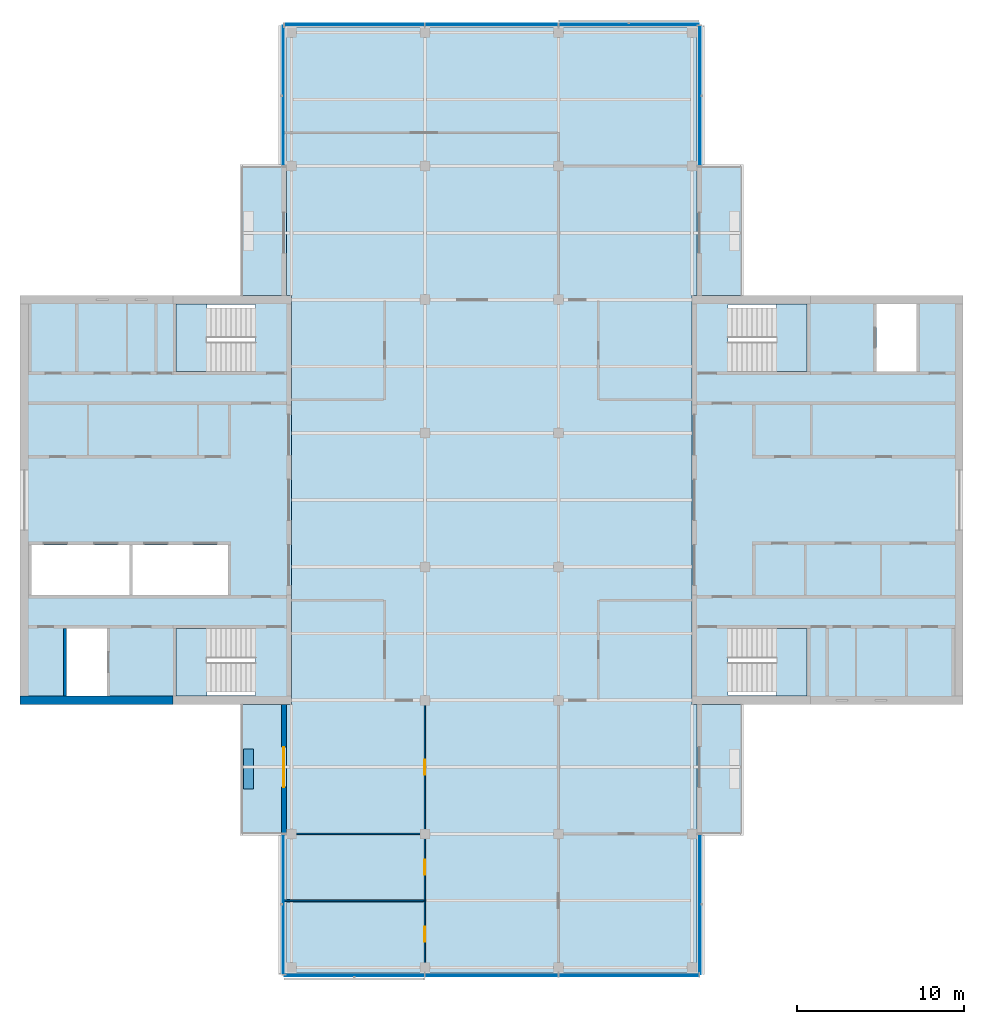
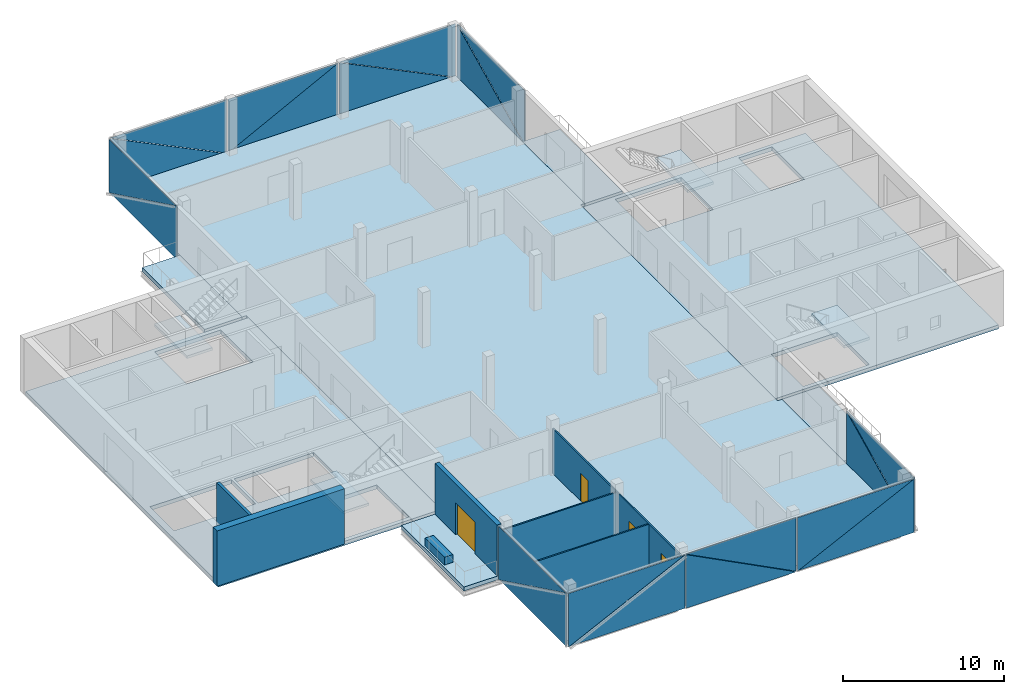
# One storey, part 4 of 11: 20 plates, 11 slabs, 7 walls, 4 doors, 4 openings, 10 elements without a shape of their own.
"""IFC4 building model written with IfcOpenShell, lengths in metres."""

from ifc_helpers import new_model, si_unit, direction, frame, frame_2d, origin, place, context, subcontext, project, spatial, polyline, rectangle, outline, extrude, material, layer, layer_set, constituent, constituent_set, type_object, element, fill, aggregate, save


model = new_model("IFC4")

# Units and contexts
model_context = context("Model", 3, precision=1e-05, world=origin(), true_north=direction((0.0, 1.0)))
body_context = subcontext(model_context, "Body", "Model", "MODEL_VIEW")
ifc_project = project(units=[si_unit("LENGTHUNIT", "METRE"), si_unit("AREAUNIT", "SQUARE_METRE"), si_unit("VOLUMEUNIT", "CUBIC_METRE"), si_unit("PLANEANGLEUNIT", "RADIAN"), si_unit("MASSUNIT", "GRAM", prefix="KILO")], contexts=[model_context])

# Site, building, storey
site_placement = place(None, origin())
site = spatial("IfcSite", under=ifc_project, at=site_placement, CompositionType="ELEMENT")
building_placement = place(site_placement, origin())
building = spatial("IfcBuilding", under=site, at=building_placement, Name="Crosswind Convention Tower", CompositionType="ELEMENT")
storey_placement = place(building_placement, frame((0.0, 0.0, 344.89990234375)))
storey = spatial("IfcBuildingStorey", under=building, at=storey_placement, Name="L75", CompositionType="ELEMENT", Elevation=344.89990234375)

# Slabs
ifc_material_1 = material(Name="Concrete C40/50", Category="concrete")
ifc_layer_1 = layer(ifc_material_1, 0.300048828125)
ifc_layer_set_1 = layer_set([ifc_layer_1], Name="Concrete C40/50")
slab_type_1 = type_object("IfcSlabType", Name="Composite floor slab 300", PredefinedType="FLOOR", material=ifc_layer_set_1)
slab_1_placement = place(storey_placement, frame((0.0, 0.0, -0.2998046875)))
element("IfcSlab", 1, at=slab_1_placement, inside=storey, type_object=slab_type_1, Name="Floor slab L75", PredefinedType="FLOOR", context=body_context, shape_type="SweptSolid", body=[
    extrude(outline(polyline([(137.300048828125, 71.699951171875), (137.0, 71.699951171875), (113.0, 71.699951171875), (112.699951171875, 71.699951171875), (112.699951171875, 72.0), (112.699951171875, 87.75), (113.0, 87.75), (113.0, 112.25), (112.699951171875, 112.25), (112.699951171875, 128.0), (112.699951171875, 128.300048828125), (113.0, 128.300048828125), (137.0, 128.300048828125), (137.300048828125, 128.300048828125), (137.300048828125, 128.0), (137.300048828125, 112.25), (137.0, 112.25), (137.0, 87.75), (137.300048828125, 87.75), (137.300048828125, 72.0), (137.300048828125, 71.699951171875)])), origin(), (0.0, 0.0, 1.0), 0.2998046875),
])
ifc_layer_2 = layer(ifc_material_1, 0.300048828125)
ifc_layer_set_2 = layer_set([ifc_layer_2], Name="Concrete C40/50")
slab_type_2 = type_object("IfcSlabType", Name="Concrete core floor slab 300", PredefinedType="FLOOR", material=ifc_layer_set_2)
slab_2_placement = place(storey_placement, frame((0.0, 0.0, -0.2998046875)))
element("IfcSlab", 2, at=slab_2_placement, inside=storey, type_object=slab_type_2, Name="Core floor slab E L75", PredefinedType="FLOOR", context=body_context, shape_type="SweptSolid", body=[
    extrude(outline(polyline([(137.0, 88.0), (153.0, 88.0), (153.0, 112.0), (137.0, 112.0), (137.0, 88.0)]), holes=[polyline([(150.449951171875, 107.699951171875), (150.449951171875, 111.75), (148.050048828125, 111.75), (148.050048828125, 107.699951171875), (150.449951171875, 107.699951171875)]), polyline([(143.89990234375, 107.699951171875), (143.89990234375, 111.699951171875), (139.14990234375, 111.699951171875), (139.14990234375, 107.699951171875), (143.89990234375, 107.699951171875)]), polyline([(143.89990234375, 88.300048828125), (143.89990234375, 92.300048828125), (139.14990234375, 92.300048828125), (139.14990234375, 88.300048828125), (143.89990234375, 88.300048828125)])]), origin(), (0.0, 0.0, 1.0), 0.2998046875),
])
slab_3_placement = place(storey_placement, frame((0.0, 0.0, -0.2998046875)))
element("IfcSlab", 3, at=slab_3_placement, inside=storey, type_object=slab_type_2, Name="Core floor slab W L75", PredefinedType="FLOOR", context=body_context, shape_type="SweptSolid", body=[
    extrude(outline(polyline([(97.0, 88.0), (113.0, 88.0), (113.0, 112.0), (97.0, 112.0), (97.0, 88.0)]), holes=[polyline([(109.199951171875, 94.300048828125), (109.199951171875, 97.300048828125), (103.5, 97.300048828125), (103.5, 94.300048828125), (109.199951171875, 94.300048828125)]), polyline([(103.300048828125, 94.300048828125), (103.300048828125, 97.300048828125), (97.449951171875, 97.300048828125), (97.449951171875, 94.300048828125), (103.300048828125, 94.300048828125)]), polyline([(101.949951171875, 88.25), (101.949951171875, 92.300048828125), (99.550048828125, 92.300048828125), (99.550048828125, 88.25), (101.949951171875, 88.25)]), polyline([(110.85009765625, 88.300048828125), (110.85009765625, 92.300048828125), (106.10009765625, 92.300048828125), (106.10009765625, 88.300048828125), (110.85009765625, 88.300048828125)]), polyline([(110.85009765625, 107.699951171875), (110.85009765625, 111.699951171875), (106.10009765625, 111.699951171875), (106.10009765625, 107.699951171875), (110.85009765625, 107.699951171875)])]), origin(), (0.0, 0.0, 1.0), 0.2998046875),
])

# Stair, slab
stair_type = type_object("IfcStairType", Name="Exit stair 1800 wide, 2 flights of 11 risers", PredefinedType="HALF_TURN_STAIR", material=ifc_material_1)
stair_1_placement = place(storey_placement, origin())
stair_1 = element("IfcStair", 4, at=stair_1_placement, inside=storey, type_object=stair_type, Name="Exit stair ST1 L75", ObjectType="ST5", PredefinedType="HALF_TURN_STAIR")
ifc_layer_3 = layer(ifc_material_1, 0.199951171875)
ifc_layer_set_3 = layer_set([ifc_layer_3], Name="Concrete C40/50")
slab_type_3 = type_object("IfcSlabType", Name="Stair landing 200", PredefinedType="LANDING", material=ifc_layer_set_3)
slab_4_placement = place(storey_placement, frame((0.0, 0.0, 1.900146484375)))
slab_4 = element("IfcSlab", 5, at=slab_4_placement, type_object=slab_type_3, Name="ST1 landing 1", PredefinedType="LANDING", context=body_context, shape_type="SweptSolid", body=[
    extrude(outline(polyline([(143.89990234375, 107.699951171875), (143.89990234375, 111.75), (142.050048828125, 111.75), (142.050048828125, 107.699951171875), (143.89990234375, 107.699951171875)])), origin(), (0.0, 0.0, 1.0), 0.199951171875),
])
aggregate(stair_1, [slab_4])

stair_2_placement = place(storey_placement, origin())
stair_2 = element("IfcStair", 6, at=stair_2_placement, inside=storey, type_object=stair_type, Name="Exit stair ST2 L75", ObjectType="ST5", PredefinedType="HALF_TURN_STAIR")
slab_5_placement = place(storey_placement, frame((0.0, 0.0, 1.900146484375)))
slab_5 = element("IfcSlab", 7, at=slab_5_placement, type_object=slab_type_3, Name="ST2 landing 1", PredefinedType="LANDING", context=body_context, shape_type="SweptSolid", body=[
    extrude(outline(polyline([(143.89990234375, 88.25), (143.89990234375, 92.300048828125), (142.050048828125, 92.300048828125), (142.050048828125, 88.25), (143.89990234375, 88.25)])), origin(), (0.0, 0.0, 1.0), 0.199951171875),
])
aggregate(stair_2, [slab_5])

stair_3_placement = place(storey_placement, origin())
stair_3 = element("IfcStair", 8, at=stair_3_placement, inside=storey, type_object=stair_type, Name="Exit stair ST3 L75", ObjectType="ST5", PredefinedType="HALF_TURN_STAIR")
slab_6_placement = place(storey_placement, frame((0.0, 0.0, 1.900146484375)))
slab_6 = element("IfcSlab", 9, at=slab_6_placement, type_object=slab_type_3, Name="ST3 landing 1", PredefinedType="LANDING", context=body_context, shape_type="SweptSolid", body=[
    extrude(outline(polyline([(107.949951171875, 88.25), (107.949951171875, 92.300048828125), (106.10009765625, 92.300048828125), (106.10009765625, 88.25), (107.949951171875, 88.25)])), origin(), (0.0, 0.0, 1.0), 0.199951171875),
])
aggregate(stair_3, [slab_6])

stair_4_placement = place(storey_placement, origin())
stair_4 = element("IfcStair", 10, at=stair_4_placement, inside=storey, type_object=stair_type, Name="Exit stair ST4 L75", ObjectType="ST5", PredefinedType="HALF_TURN_STAIR")
slab_7_placement = place(storey_placement, frame((0.0, 0.0, 1.900146484375)))
slab_7 = element("IfcSlab", 11, at=slab_7_placement, type_object=slab_type_3, Name="ST4 landing 1", PredefinedType="LANDING", context=body_context, shape_type="SweptSolid", body=[
    extrude(outline(polyline([(107.949951171875, 107.699951171875), (107.949951171875, 111.75), (106.10009765625, 111.75), (106.10009765625, 107.699951171875), (107.949951171875, 107.699951171875)])), origin(), (0.0, 0.0, 1.0), 0.199951171875),
])
aggregate(stair_4, [slab_7])

# Curtain wall, plates
ifc_material_2 = material(Name="Aluminium unitised curtain wall", Category="aluminium")
curtain_wall_type = type_object("IfcCurtainWallType", Name="SKY LOBBY AND LOUNGE WALL 280", PredefinedType="USERDEFINED", material=ifc_material_2)
curtain_wall_1_placement = place(storey_placement, origin())
curtain_wall_1 = element("IfcCurtainWall", 12, at=curtain_wall_1_placement, inside=storey, type_object=curtain_wall_type, Name="CW4 L75 N-E 1", ObjectType="UNITISED", PredefinedType="USERDEFINED")
ifc_material_3 = material(Name="Laminated insulating glass unit", Category="glass")
ifc_layer_4 = layer(ifc_material_3, 0.0400390625)
ifc_layer_set_4 = layer_set([ifc_layer_4], Name="TRIANGULAR GLASS PANEL 40")
plate_type = type_object("IfcPlateType", Name="TRIANGULAR GLASS PANEL 40", PredefinedType="CURTAIN_PANEL", material=ifc_layer_set_4)
plate_1_placement = place(storey_placement, frame((137.480712890625, 128.402587890625, -0.2998046875), z_axis=(0.999999935031, 0.0, 0.000360468586), x_axis=(-0.000360468586, 0.0, 0.999999935031)))
plate_1 = element("IfcPlate", 13, at=plate_1_placement, type_object=plate_type, Name="CW4 panel 1.1", PredefinedType="CURTAIN_PANEL", context=body_context, shape_type="SweptSolid", body=[
    extrude(outline(polyline([(0.0, 0.0), (4.063720967140085, 0.0), (0.0, 8.34228515625), (0.0, 0.0)])), origin(), (0.0, 0.0, -1.0), 0.0400390625),
])
plate_2_placement = place(storey_placement, frame((137.521240234375, 120.03759765625, 3.775146484375), z_axis=(0.999999935039, 0.0, 0.000360446931), x_axis=(0.000360446931, 0.0, -0.999999935039)))
plate_2 = element("IfcPlate", 14, at=plate_2_placement, type_object=plate_type, Name="CW4 panel 1.2", PredefinedType="CURTAIN_PANEL", context=body_context, shape_type="SweptSolid", body=[
    extrude(outline(polyline([(0.0, 0.0), (4.063965107749225, 0.0), (0.0, 8.342041015624998), (0.0, 0.0)])), origin(), (0.0, 0.0, -1.0), 0.0400390625),
])
aggregate(curtain_wall_1, [plate_1, plate_2])

curtain_wall_2_placement = place(storey_placement, origin())
curtain_wall_2 = element("IfcCurtainWall", 15, at=curtain_wall_2_placement, inside=storey, type_object=curtain_wall_type, Name="CW4 L75 N-TIP 1", ObjectType="UNITISED", PredefinedType="USERDEFINED")
plate_3_placement = place(storey_placement, frame((129.03759765625, 128.480712890625, -0.2998046875), z_axis=(0.0, 0.999999935031, 0.000360468586), x_axis=(0.0, -0.000360468586, 0.999999935031)))
plate_3 = element("IfcPlate", 16, at=plate_3_placement, type_object=plate_type, Name="CW4 panel 1.1", PredefinedType="CURTAIN_PANEL", context=body_context, shape_type="SweptSolid", body=[
    extrude(outline(polyline([(0.0, 0.0), (4.063720967140085, 0.0), (0.0, 8.342041015625), (0.0, 0.0)])), origin(), (0.0, 0.0, -1.0), 0.0400390625),
])
plate_4_placement = place(storey_placement, frame((137.402587890625, 128.521240234375, 3.775146484375), z_axis=(0.0, 0.999999935039, 0.000360446931), x_axis=(0.0, 0.000360446931, -0.999999935039)))
plate_4 = element("IfcPlate", 17, at=plate_4_placement, type_object=plate_type, Name="CW4 panel 1.2", PredefinedType="CURTAIN_PANEL", context=body_context, shape_type="SweptSolid", body=[
    extrude(outline(polyline([(0.0, 0.0), (4.063965107749225, 0.0), (0.0, 8.34228515625), (0.0, 0.0)])), origin(), (0.0, 0.0, -1.0), 0.0400390625),
])
plate_5_placement = place(storey_placement, frame((121.03759765625, 128.479248046875, 3.775146484375), z_axis=(0.0, 0.999999935031, 0.000360468586), x_axis=(1.0, 0.0, 0.0)))
plate_5 = element("IfcPlate", 18, at=plate_5_placement, type_object=plate_type, Name="CW4 panel 2.1", PredefinedType="CURTAIN_PANEL", context=body_context, shape_type="SweptSolid", body=[
    extrude(outline(polyline([(0.0, 0.0), (7.903076171875, 0.0), (0.0, 4.063720967140085), (0.0, 0.0)])), origin(), (0.0, 0.0, -1.0), 0.0400390625),
])
plate_6_placement = place(storey_placement, frame((128.96240234375, 128.522705078125, -0.2998046875), z_axis=(0.0, 0.999999935031, 0.000360468586), x_axis=(-1.0, 0.0, 0.0)))
plate_6 = element("IfcPlate", 19, at=plate_6_placement, type_object=plate_type, Name="CW4 panel 2.2", PredefinedType="CURTAIN_PANEL", context=body_context, shape_type="SweptSolid", body=[
    extrude(outline(polyline([(0.0, 0.0), (7.903076171875, 0.0), (0.0, 4.063720967140085), (0.0, 0.0)])), origin(), (0.0, 0.0, -1.0), 0.0400390625),
])
plate_7_placement = place(storey_placement, frame((112.597412109375, 128.480712890625, -0.2998046875), z_axis=(0.0, 0.999999935031, 0.000360468586), x_axis=(0.0, -0.000360468586, 0.999999935031)))
plate_7 = element("IfcPlate", 20, at=plate_7_placement, type_object=plate_type, Name="CW4 panel 3.1", PredefinedType="CURTAIN_PANEL", context=body_context, shape_type="SweptSolid", body=[
    extrude(outline(polyline([(0.0, 0.0), (4.063720967140085, 0.0), (0.0, 8.34228515625), (0.0, 0.0)])), origin(), (0.0, 0.0, -1.0), 0.0400390625),
])
plate_8_placement = place(storey_placement, frame((120.96240234375, 128.521240234375, 3.775146484375), z_axis=(0.0, 0.999999935039, 0.000360446931), x_axis=(0.0, 0.000360446931, -0.999999935039)))
plate_8 = element("IfcPlate", 21, at=plate_8_placement, type_object=plate_type, Name="CW4 panel 3.2", PredefinedType="CURTAIN_PANEL", context=body_context, shape_type="SweptSolid", body=[
    extrude(outline(polyline([(0.0, 0.0), (4.063965107749225, 0.0), (0.0, 8.342041015624998), (0.0, 0.0)])), origin(), (0.0, 0.0, -1.0), 0.0400390625),
])
aggregate(curtain_wall_2, [plate_3, plate_4, plate_5, plate_6, plate_7, plate_8])

curtain_wall_3_placement = place(storey_placement, origin())
curtain_wall_3 = element("IfcCurtainWall", 22, at=curtain_wall_3_placement, inside=storey, type_object=curtain_wall_type, Name="CW4 L75 N-W 1", ObjectType="UNITISED", PredefinedType="USERDEFINED")
plate_9_placement = place(storey_placement, frame((112.519287109375, 120.03759765625, -0.2998046875), z_axis=(-0.999999935031, 0.0, 0.000360468586), x_axis=(0.000360468586, 0.0, 0.999999935031)))
plate_9 = element("IfcPlate", 23, at=plate_9_placement, type_object=plate_type, Name="CW4 panel 1.1", PredefinedType="CURTAIN_PANEL", context=body_context, shape_type="SweptSolid", body=[
    extrude(outline(polyline([(0.0, 0.0), (4.063720967140085, 0.0), (0.0, 8.342041015625), (0.0, 0.0)])), origin(), (0.0, 0.0, -1.0), 0.0400390625),
])
plate_10_placement = place(storey_placement, frame((112.478759765625, 128.402587890625, 3.775146484375), z_axis=(-0.999999935039, 0.0, 0.000360446931), x_axis=(-0.000360446931, 0.0, -0.999999935039)))
plate_10 = element("IfcPlate", 24, at=plate_10_placement, type_object=plate_type, Name="CW4 panel 1.2", PredefinedType="CURTAIN_PANEL", context=body_context, shape_type="SweptSolid", body=[
    extrude(outline(polyline([(0.0, 0.0), (4.063965107749225, 0.0), (0.0, 8.34228515625), (0.0, 0.0)])), origin(), (0.0, 0.0, -1.0), 0.0400390625),
])
aggregate(curtain_wall_3, [plate_9, plate_10])

curtain_wall_4_placement = place(storey_placement, origin())
curtain_wall_4 = element("IfcCurtainWall", 25, at=curtain_wall_4_placement, inside=storey, type_object=curtain_wall_type, Name="CW4 L75 S-W 1", ObjectType="UNITISED", PredefinedType="USERDEFINED")
plate_11_placement = place(storey_placement, frame((112.519287109375, 71.597412109375, -0.2998046875), z_axis=(-0.999999935031, 0.0, 0.000360468586), x_axis=(0.000360468586, 0.0, 0.999999935031)))
plate_11 = element("IfcPlate", 26, at=plate_11_placement, type_object=plate_type, Name="CW4 panel 1.1", PredefinedType="CURTAIN_PANEL", context=body_context, shape_type="SweptSolid", body=[
    extrude(outline(polyline([(0.0, 0.0), (4.063720967140085, 0.0), (0.0, 8.34228515625), (0.0, 0.0)])), origin(), (0.0, 0.0, -1.0), 0.0400390625),
])
plate_12_placement = place(storey_placement, frame((112.478759765625, 79.96240234375, 3.775146484375), z_axis=(-0.999999935039, 0.0, 0.000360446931), x_axis=(-0.000360446931, 0.0, -0.999999935039)))
plate_12 = element("IfcPlate", 27, at=plate_12_placement, type_object=plate_type, Name="CW4 panel 1.2", PredefinedType="CURTAIN_PANEL", context=body_context, shape_type="SweptSolid", body=[
    extrude(outline(polyline([(0.0, 0.0), (4.063965107749225, 0.0), (0.0, 8.342041015624998), (0.0, 0.0)])), origin(), (0.0, 0.0, -1.0), 0.0400390625),
])
aggregate(curtain_wall_4, [plate_11, plate_12])

curtain_wall_5_placement = place(storey_placement, origin())
curtain_wall_5 = element("IfcCurtainWall", 28, at=curtain_wall_5_placement, inside=storey, type_object=curtain_wall_type, Name="CW4 L75 S-TIP 1", ObjectType="UNITISED", PredefinedType="USERDEFINED")
plate_13_placement = place(storey_placement, frame((120.96240234375, 71.519287109375, -0.2998046875), z_axis=(0.0, -0.999999935031, 0.000360468586), x_axis=(0.0, 0.000360468586, 0.999999935031)))
plate_13 = element("IfcPlate", 29, at=plate_13_placement, type_object=plate_type, Name="CW4 panel 1.1", PredefinedType="CURTAIN_PANEL", context=body_context, shape_type="SweptSolid", body=[
    extrude(outline(polyline([(0.0, 0.0), (4.063720967140085, 0.0), (0.0, 8.342041015625), (0.0, 0.0)])), origin(), (0.0, 0.0, -1.0), 0.0400390625),
])
plate_14_placement = place(storey_placement, frame((112.597412109375, 71.478759765625, 3.775146484375), z_axis=(0.0, -0.999999935039, 0.000360446931), x_axis=(0.0, -0.000360446931, -0.999999935039)))
plate_14 = element("IfcPlate", 30, at=plate_14_placement, type_object=plate_type, Name="CW4 panel 1.2", PredefinedType="CURTAIN_PANEL", context=body_context, shape_type="SweptSolid", body=[
    extrude(outline(polyline([(0.0, 0.0), (4.063965107749225, 0.0), (0.0, 8.34228515625), (0.0, 0.0)])), origin(), (0.0, 0.0, -1.0), 0.0400390625),
])
plate_15_placement = place(storey_placement, frame((128.96240234375, 71.520751953125, 3.775146484375), z_axis=(0.0, -0.999999935031, 0.000360468586), x_axis=(-1.0, 0.0, 0.0)))
plate_15 = element("IfcPlate", 31, at=plate_15_placement, type_object=plate_type, Name="CW4 panel 2.1", PredefinedType="CURTAIN_PANEL", context=body_context, shape_type="SweptSolid", body=[
    extrude(outline(polyline([(0.0, 0.0), (7.903076171875, 0.0), (0.0, 4.063720967140085), (0.0, 0.0)])), origin(), (0.0, 0.0, -1.0), 0.0400390625),
])
plate_16_placement = place(storey_placement, frame((121.03759765625, 71.477294921875, -0.2998046875), z_axis=(0.0, -0.999999935031, 0.000360468586), x_axis=(1.0, 0.0, 0.0)))
plate_16 = element("IfcPlate", 32, at=plate_16_placement, type_object=plate_type, Name="CW4 panel 2.2", PredefinedType="CURTAIN_PANEL", context=body_context, shape_type="SweptSolid", body=[
    extrude(outline(polyline([(0.0, 0.0), (7.903076171875, 0.0), (0.0, 4.063720967140085), (0.0, 0.0)])), origin(), (0.0, 0.0, -1.0), 0.0400390625),
])
plate_17_placement = place(storey_placement, frame((137.402587890625, 71.519287109375, -0.2998046875), z_axis=(0.0, -0.999999935031, 0.000360468586), x_axis=(0.0, 0.000360468586, 0.999999935031)))
plate_17 = element("IfcPlate", 33, at=plate_17_placement, type_object=plate_type, Name="CW4 panel 3.1", PredefinedType="CURTAIN_PANEL", context=body_context, shape_type="SweptSolid", body=[
    extrude(outline(polyline([(0.0, 0.0), (4.063720967140085, 0.0), (0.0, 8.34228515625), (0.0, 0.0)])), origin(), (0.0, 0.0, -1.0), 0.0400390625),
])
plate_18_placement = place(storey_placement, frame((129.03759765625, 71.478759765625, 3.775146484375), z_axis=(0.0, -0.999999935039, 0.000360446931), x_axis=(0.0, -0.000360446931, -0.999999935039)))
plate_18 = element("IfcPlate", 34, at=plate_18_placement, type_object=plate_type, Name="CW4 panel 3.2", PredefinedType="CURTAIN_PANEL", context=body_context, shape_type="SweptSolid", body=[
    extrude(outline(polyline([(0.0, 0.0), (4.063965107749225, 0.0), (0.0, 8.342041015624998), (0.0, 0.0)])), origin(), (0.0, 0.0, -1.0), 0.0400390625),
])
aggregate(curtain_wall_5, [plate_13, plate_14, plate_15, plate_16, plate_17, plate_18])

curtain_wall_6_placement = place(storey_placement, origin())
curtain_wall_6 = element("IfcCurtainWall", 35, at=curtain_wall_6_placement, inside=storey, type_object=curtain_wall_type, Name="CW4 L75 S-E 1", ObjectType="UNITISED", PredefinedType="USERDEFINED")
plate_19_placement = place(storey_placement, frame((137.480712890625, 79.96240234375, -0.2998046875), z_axis=(0.999999935031, 0.0, 0.000360468586), x_axis=(-0.000360468586, 0.0, 0.999999935031)))
plate_19 = element("IfcPlate", 36, at=plate_19_placement, type_object=plate_type, Name="CW4 panel 1.1", PredefinedType="CURTAIN_PANEL", context=body_context, shape_type="SweptSolid", body=[
    extrude(outline(polyline([(0.0, 0.0), (4.063720967140085, 0.0), (0.0, 8.342041015625), (0.0, 0.0)])), origin(), (0.0, 0.0, -1.0), 0.0400390625),
])
plate_20_placement = place(storey_placement, frame((137.521240234375, 71.597412109375, 3.775146484375), z_axis=(0.999999935039, 0.0, 0.000360446931), x_axis=(0.000360446931, 0.0, -0.999999935039)))
plate_20 = element("IfcPlate", 37, at=plate_20_placement, type_object=plate_type, Name="CW4 panel 1.2", PredefinedType="CURTAIN_PANEL", context=body_context, shape_type="SweptSolid", body=[
    extrude(outline(polyline([(0.0, 0.0), (4.063965107749225, 0.0), (0.0, 8.34228515625), (0.0, 0.0)])), origin(), (0.0, 0.0, -1.0), 0.0400390625),
])
aggregate(curtain_wall_6, [plate_19, plate_20])

# Slabs
ifc_layer_5 = layer(ifc_material_1, 0.300048828125)
ifc_layer_set_5 = layer_set([ifc_layer_5], Name="Concrete C40/50")
slab_type_4 = type_object("IfcSlabType", Name="WINTER GARDEN SLAB 300", PredefinedType="USERDEFINED", material=ifc_layer_set_5)
slab_8_placement = place(storey_placement, frame((0.0, 0.0, -0.2998046875)))
element("IfcSlab", 38, at=slab_8_placement, inside=storey, type_object=slab_type_4, Name="WINTER GARDEN L75 N-E.1-1", ObjectType="WINTER GARDEN", PredefinedType="USERDEFINED", context=body_context, shape_type="SweptSolid", body=[
    extrude(outline(polyline([(137.300048828125, 112.25), (137.300048828125, 120.0), (140.0, 120.0), (140.0, 112.25), (137.300048828125, 112.25)])), origin(), (0.0, 0.0, 1.0), 0.2998046875),
])
slab_9_placement = place(storey_placement, frame((0.0, 0.0, -0.2998046875)))
element("IfcSlab", 39, at=slab_9_placement, inside=storey, type_object=slab_type_4, Name="WINTER GARDEN L75 N-W.1-2", ObjectType="WINTER GARDEN", PredefinedType="USERDEFINED", context=body_context, shape_type="SweptSolid", body=[
    extrude(outline(polyline([(112.699951171875, 120.0), (112.699951171875, 112.25), (110.0, 112.25), (110.0, 120.0), (112.699951171875, 120.0)])), origin(), (0.0, 0.0, 1.0), 0.2998046875),
])
slab_10_placement = place(storey_placement, frame((0.0, 0.0, -0.2998046875)))
element("IfcSlab", 40, at=slab_10_placement, inside=storey, type_object=slab_type_4, Name="WINTER GARDEN L75 S-W.1-1", ObjectType="WINTER GARDEN", PredefinedType="USERDEFINED", context=body_context, shape_type="SweptSolid", body=[
    extrude(outline(polyline([(112.699951171875, 87.75), (112.699951171875, 80.0), (110.0, 80.0), (110.0, 87.75), (112.699951171875, 87.75)])), origin(), (0.0, 0.0, 1.0), 0.2998046875),
])
slab_11_placement = place(storey_placement, frame((0.0, 0.0, -0.2998046875)))
element("IfcSlab", 41, at=slab_11_placement, inside=storey, type_object=slab_type_4, Name="WINTER GARDEN L75 S-E.1-2", ObjectType="WINTER GARDEN", PredefinedType="USERDEFINED", context=body_context, shape_type="SweptSolid", body=[
    extrude(outline(polyline([(137.300048828125, 80.0), (137.300048828125, 87.75), (140.0, 87.75), (140.0, 80.0), (137.300048828125, 80.0)])), origin(), (0.0, 0.0, 1.0), 0.2998046875),
])

# Wall
ifc_material_4 = material(Name="Concrete C50/60", Category="concrete")
ifc_layer_6 = layer(ifc_material_4, 0.199951171875)
ifc_layer_set_6 = layer_set([ifc_layer_6], Name="Concrete C50/60")
wall_type_1 = type_object("IfcWallType", Name="Concrete shaft and stair wall 200", PredefinedType="SHEAR", material=ifc_layer_set_6)
wall_1_placement = place(storey_placement, frame((99.449951171875, 92.300048828125, 0.0), z_axis=(0.0, 0.0, 1.0), x_axis=(0.0, -1.0, 0.0)))
element("IfcWall", 42, at=wall_1_placement, inside=storey, type_object=wall_type_1, Name="Wall PFSE W L75", PredefinedType="SHEAR", context=body_context, shape_type="SweptSolid", body=[
    extrude(rectangle(XDim=4.050048828125, YDim=0.199951171875, at=frame_2d((2.02490234375, 0.0))), origin(), (0.0, 0.0, 1.0), 4.2001953125),
])

# Wall, openings, doors
ifc_material_5 = material(Name="Plasterboard partition", Category="gypsum")
ifc_layer_7 = layer(ifc_material_5, 0.10009765625)
ifc_layer_set_7 = layer_set([ifc_layer_7], Name="PARTITION 100 METAL STUD")
wall_type_2 = type_object("IfcWallType", Name="PARTITION 100 METAL STUD", PredefinedType="PARTITIONING", material=ifc_layer_set_7)
wall_2_placement = place(storey_placement, frame((121.0, 71.780029296875, 0.0), z_axis=(0.0, 0.0, 1.0), x_axis=(0.0, 1.0, 0.0)))
wall_2 = element("IfcWall", 43, at=wall_2_placement, inside=storey, type_object=wall_type_2, Name="Partition wall WT40", PredefinedType="PARTITIONING", context=body_context, shape_type="SweptSolid", body=[
    extrude(rectangle(XDim=16.14501953125, YDim=0.10009765625, at=frame_2d((8.072509765625, 0.0))), origin(), (0.0, 0.0, 1.0), 3.396484375),
])
opening_1_placement = place(wall_2_placement, frame((5.77001953125, 0.0, 0.0)))
opening_1 = element("IfcOpeningElement", 44, at=opening_1_placement, cuts=wall_2, Name="Opening L75-54", PredefinedType="OPENING", context=body_context, shape_type="SweptSolid", body=[
    extrude(rectangle(XDim=0.89990234375, YDim=2.10009765625, at=frame_2d((0.449951171875, 1.050048828125))), frame((0.0, 0.06005859375, 0.0), z_axis=(0.0, -1.0, 0.0), x_axis=(1.0, 0.0, 0.0)), (0.0, 0.0, 1.0), 0.1201171875),
])
opening_2_placement = place(wall_2_placement, frame((1.77001953125, 0.0, 0.0)))
opening_2 = element("IfcOpeningElement", 45, at=opening_2_placement, cuts=wall_2, Name="Opening L75-55", PredefinedType="OPENING", context=body_context, shape_type="SweptSolid", body=[
    extrude(rectangle(XDim=0.89990234375, YDim=2.10009765625, at=frame_2d((0.449951171875, 1.050048828125))), frame((0.0, 0.06005859375, 0.0), z_axis=(0.0, -1.0, 0.0), x_axis=(1.0, 0.0, 0.0)), (0.0, 0.0, 1.0), 0.1201171875),
])
opening_3_placement = place(wall_2_placement, frame((11.77001953125, 0.0, 0.0)))
opening_3 = element("IfcOpeningElement", 46, at=opening_3_placement, cuts=wall_2, Name="Opening L75-56", PredefinedType="OPENING", context=body_context, shape_type="SweptSolid", body=[
    extrude(rectangle(XDim=0.89990234375, YDim=2.10009765625, at=frame_2d((0.449951171875, 1.050048828125))), frame((0.0, 0.06005859375, 0.0), z_axis=(0.0, -1.0, 0.0), x_axis=(1.0, 0.0, 0.0)), (0.0, 0.0, 1.0), 0.1201171875),
])
ifc_material_6 = material(Name="Timber door", Category="wood")
door_type_1 = type_object("IfcDoorType", Name="INTERNAL DOOR 900X2100", OperationType="NOTDEFINED", PredefinedType="DOOR", material=ifc_material_6)
door_1_placement = place(opening_1_placement, origin())
door_1 = element("IfcDoor", 47, at=door_1_placement, inside=storey, type_object=door_type_1, Name="Door L75-54", ObjectType="D40", OperationType="SINGLE_SWING_RIGHT", OverallHeight=2.10009765625, OverallWidth=0.89990234375, PredefinedType="DOOR", context=body_context, shape_type="SweptSolid", body=[
    extrude(rectangle(XDim=0.89990234375, YDim=2.10009765625, at=frame_2d((0.449951171875, 1.050048828125))), frame((0.0, 0.02490234375, 0.0), z_axis=(0.0, -1.0, 0.0), x_axis=(1.0, 0.0, 0.0)), (0.0, 0.0, 1.0), 0.050048828125),
])
fill(opening_1, door_1)
door_2_placement = place(opening_2_placement, origin())
door_2 = element("IfcDoor", 48, at=door_2_placement, inside=storey, type_object=door_type_1, Name="Door L75-55", ObjectType="D40", OperationType="SINGLE_SWING_LEFT", OverallHeight=2.10009765625, OverallWidth=0.89990234375, PredefinedType="DOOR", context=body_context, shape_type="SweptSolid", body=[
    extrude(rectangle(XDim=0.89990234375, YDim=2.10009765625, at=frame_2d((0.449951171875, 1.050048828125))), frame((0.0, 0.02490234375, 0.0), z_axis=(0.0, -1.0, 0.0), x_axis=(1.0, 0.0, 0.0)), (0.0, 0.0, 1.0), 0.050048828125),
])
fill(opening_2, door_2)
door_3_placement = place(opening_3_placement, frame((0.89990234375, 0.0, 0.0), z_axis=(0.0, 0.0, 1.0), x_axis=(-1.0, 0.0, 0.0)))
door_3 = element("IfcDoor", 49, at=door_3_placement, inside=storey, type_object=door_type_1, Name="Door L75-56", ObjectType="D40", OperationType="SINGLE_SWING_LEFT", OverallHeight=2.10009765625, OverallWidth=0.89990234375, PredefinedType="DOOR", context=body_context, shape_type="SweptSolid", body=[
    extrude(rectangle(XDim=0.89990234375, YDim=2.10009765625, at=frame_2d((0.449951171875, 1.050048828125))), frame((0.0, 0.02490234375, 0.0), z_axis=(0.0, -1.0, 0.0), x_axis=(1.0, 0.0, 0.0)), (0.0, 0.0, 1.0), 0.050048828125),
])
fill(opening_3, door_3)

# Walls
wall_3_placement = place(storey_placement, frame((112.56005859375, 76.0, 0.0), z_axis=(0.0, 0.0, 1.0), x_axis=(1.0, 0.0, 0.0)))
element("IfcWall", 50, at=wall_3_placement, inside=storey, type_object=wall_type_2, Name="Partition wall WT40", PredefinedType="PARTITIONING", context=body_context, shape_type="SweptSolid", body=[
    extrude(rectangle(XDim=8.389892578125, YDim=0.10009765625, at=frame_2d((4.19482421875, 0.0))), origin(), (0.0, 0.0, 1.0), 3.396484375),
])
wall_4_placement = place(storey_placement, frame((112.780029296875, 80.0, 0.0), z_axis=(0.0, 0.0, 1.0), x_axis=(1.0, 0.0, 0.0)))
element("IfcWall", 51, at=wall_4_placement, inside=storey, type_object=wall_type_2, Name="Partition wall WT40", PredefinedType="PARTITIONING", context=body_context, shape_type="SweptSolid", body=[
    extrude(rectangle(XDim=8.169921875, YDim=0.10009765625, at=frame_2d((4.0849609375, 0.0))), origin(), (0.0, 0.0, 1.0), 3.396484375),
])
ifc_material_7 = material(Name="Concrete C30/37", Category="concrete")
ifc_layer_8 = layer(ifc_material_7, 0.60009765625)
ifc_layer_set_8 = layer_set([ifc_layer_8], Name="Concrete C30/37")
wall_type_3 = type_object("IfcWallType", Name="PLANTER BOX WALL 600", PredefinedType="SOLIDWALL", material=ifc_layer_set_8)
wall_5_placement = place(storey_placement, frame((110.449951171875, 85.074951171875, 0.0), z_axis=(0.0, 0.0, 1.0), x_axis=(0.0, -1.0, 0.0)))
element("IfcWall", 52, at=wall_5_placement, inside=storey, type_object=wall_type_3, Name="PLANTER L75 S-W.1-1", PredefinedType="SOLIDWALL", context=body_context, shape_type="SweptSolid", body=[
    extrude(rectangle(XDim=2.39990234375, YDim=0.60009765625, at=frame_2d((1.199951171875, 0.0))), origin(), (0.0, 0.0, 1.0), 0.60009765625),
])

# Wall, opening, door
ifc_material_8 = material(Name="Terracotta rainscreen", Category="ceramic")
ifc_layer_9 = layer(ifc_material_8, 0.02001953125)
ifc_material_9 = material(Name="Mineral wool insulation", Category="insulation")
ifc_layer_10 = layer(ifc_material_9, 0.10009765625)
ifc_material_10 = material(Name="Concrete blockwork", Category="masonry")
ifc_layer_11 = layer(ifc_material_10, 0.179931640625)
ifc_layer_set_9 = layer_set([ifc_layer_9, ifc_layer_10, ifc_layer_11], Name="TERRACOTTA INFILL WALL 300")
wall_type_4 = type_object("IfcWallType", Name="TERRACOTTA INFILL WALL 300", PredefinedType="SOLIDWALL", material=ifc_layer_set_9)
wall_6_placement = place(storey_placement, frame((112.550048828125, 87.75, 0.0), z_axis=(0.0, 0.0, 1.0), x_axis=(0.0, -1.0, 0.0)))
wall_6 = element("IfcWall", 53, at=wall_6_placement, inside=storey, type_object=wall_type_4, Name="Notch front wall L75 S-W.1-1", PredefinedType="SOLIDWALL", context=body_context, shape_type="SweptSolid", body=[
    extrude(rectangle(XDim=7.71240234375, YDim=0.300048828125, at=frame_2d((3.856201171875, 0.0))), origin(), (0.0, 0.0, 1.0), 3.85009765625),
])
opening_4_placement = place(wall_6_placement, frame((2.550048828125, 0.0, 0.0)))
opening_4 = element("IfcOpeningElement", 54, at=opening_4_placement, cuts=wall_6, Name="Opening D143", PredefinedType="OPENING", context=body_context, shape_type="SweptSolid", body=[
    extrude(rectangle(XDim=2.39990234375, YDim=2.39990234375, at=frame_2d((1.199951171875, 1.199951171875))), frame((0.0, 0.159912109375, 0.0), z_axis=(0.0, -1.0, 0.0), x_axis=(1.0, 0.0, 0.0)), (0.0, 0.0, 1.0), 0.320068359375),
])
ifc_material_11 = material(Name="Aluminium glazed door", Category="aluminium")
door_type_2 = type_object("IfcDoorType", Name="WINTER GARDEN SLIDING DOOR 2400X2400", OperationType="SLIDING_TO_LEFT", PredefinedType="DOOR", material=ifc_material_11)
door_4_placement = place(opening_4_placement, frame((2.39990234375, 0.0, 0.0), z_axis=(0.0, 0.0, 1.0), x_axis=(-1.0, 0.0, 0.0)))
door_4 = element("IfcDoor", 55, at=door_4_placement, inside=storey, type_object=door_type_2, Name="D143 winter garden door L75 S-W.1-1", ObjectType="D143", OperationType="SLIDING_TO_LEFT", OverallHeight=2.39990234375, OverallWidth=2.39990234375, PredefinedType="DOOR", context=body_context, shape_type="SweptSolid", body=[
    extrude(rectangle(XDim=2.39990234375, YDim=2.39990234375, at=frame_2d((1.199951171875, 1.199951171875))), frame((0.0, 0.02490234375, 0.0), z_axis=(0.0, -1.0, 0.0), x_axis=(1.0, 0.0, 0.0)), (0.0, 0.0, 1.0), 0.050048828125),
])
fill(opening_4, door_4)

# Wall
ifc_material_12 = material(Name="Concrete C60/75", Category="concrete")
ifc_constituent_1 = constituent(ifc_material_12, Name="Structure")
ifc_constituent_2 = constituent(ifc_material_8, Name="Facing")
ifc_constituent_set = constituent_set(constituents=[ifc_constituent_1, ifc_constituent_2], Name="Concrete C60/75, Terracotta rainscreen")
wall_type_5 = type_object("IfcWallType", Name="Terracotta rainscreen on concrete core wall 500", PredefinedType="SHEAR", material=ifc_constituent_set)
wall_7_placement = place(storey_placement, frame((105.89990234375, 88.0, 0.0), z_axis=(0.0, 0.0, 1.0), x_axis=(-1.0, 0.0, 0.0)))
element("IfcWall", 56, at=wall_7_placement, inside=storey, type_object=wall_type_5, Name="Wall N2 W L75", PredefinedType="SHEAR", context=body_context, shape_type="SweptSolid", body=[
    extrude(rectangle(XDim=9.14990234375, YDim=0.5, at=frame_2d((4.574951171875, 0.0))), origin(), (0.0, 0.0, 1.0), 4.2001953125),
])

save(model, "model.ifc")
